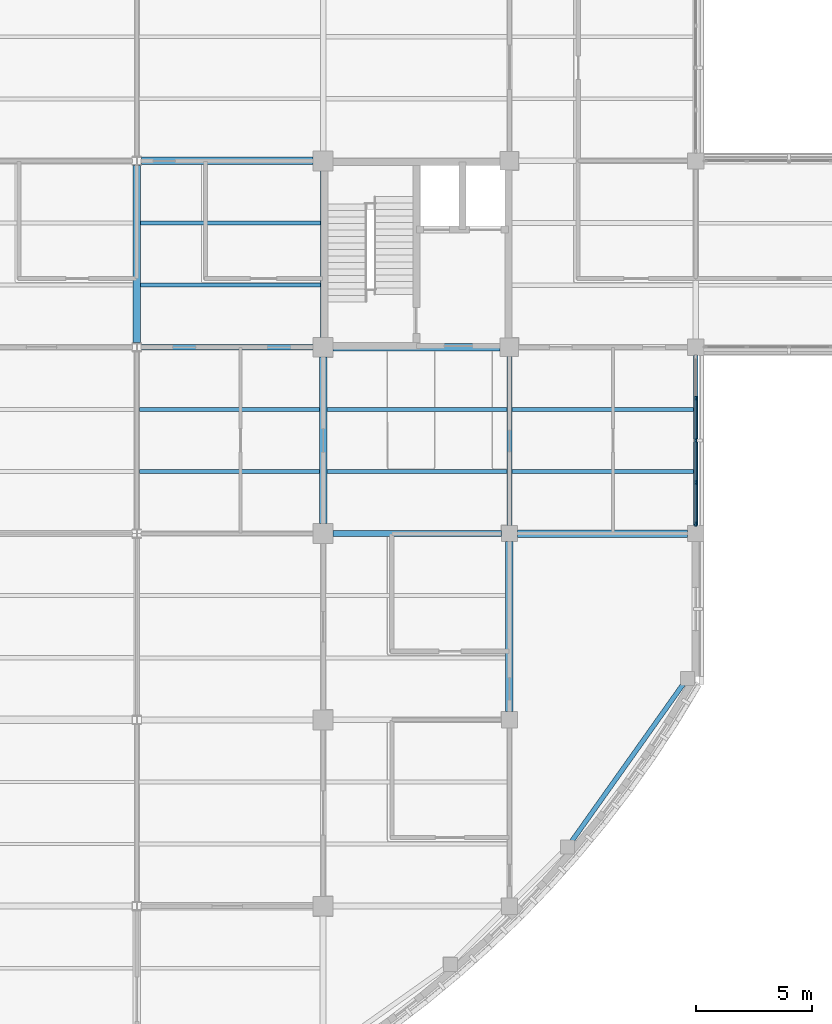
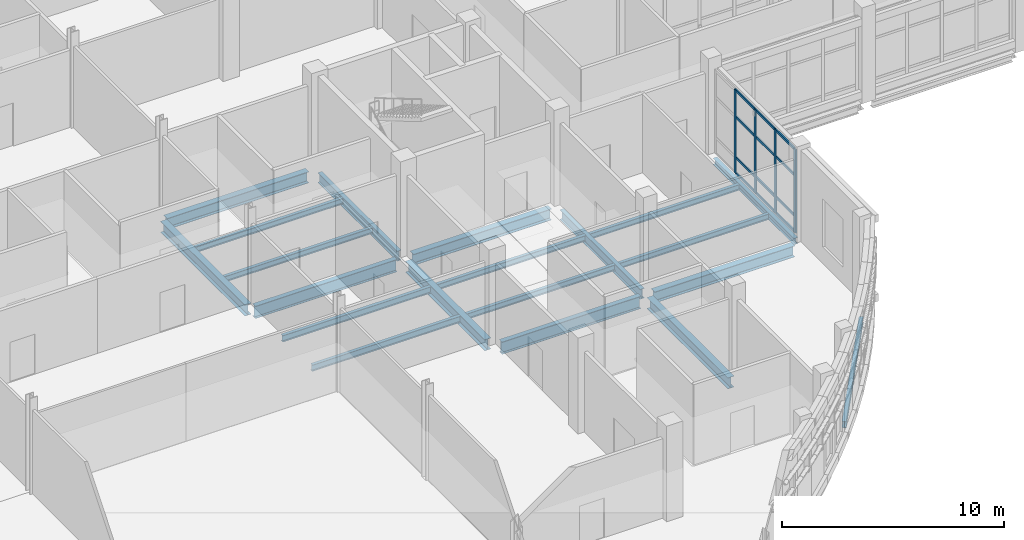
# One storey, part 21 of 105: 20 beams, 16 members, 1 element without a shape of its own.
"""IFC4 building model written with IfcOpenShell, lengths in metres."""

from ifc_helpers import new_model, si_unit, derived_unit, direction, frame, origin, origin_2d, place, context, subcontext, project, spatial, rectangle, i_section, extrude, material, layer, layer_set, material_profile, profile_set, type_object, element, aggregate, save


model = new_model("IFC4")

# Units and contexts
model_context = context("Model", 3, precision=1e-05, world=origin(), true_north=direction((0.0, 1.0)))
body_context = subcontext(model_context, "Body", "Model", "MODEL_VIEW")
ifc_project = project(units=[si_unit("LENGTHUNIT", "METRE"), si_unit("AREAUNIT", "SQUARE_METRE"), si_unit("VOLUMEUNIT", "CUBIC_METRE"), si_unit("PLANEANGLEUNIT", "RADIAN"), si_unit("MASSUNIT", "GRAM", prefix="KILO"), derived_unit("THERMALTRANSMITTANCEUNIT", [(si_unit("MASSUNIT", "GRAM", prefix="KILO"), 1), (si_unit("TIMEUNIT", "SECOND"), -3), (si_unit("THERMODYNAMICTEMPERATUREUNIT", "KELVIN"), -1)])], contexts=[model_context])

# Site, building, storey
site_placement = place(None, origin())
site = spatial("IfcSite", under=ifc_project, at=site_placement, CompositionType="ELEMENT")
building_placement = place(site_placement, origin())
building = spatial("IfcBuilding", under=site, at=building_placement, Name="Veyamyaing Civic Hall", CompositionType="ELEMENT")
storey_placement = place(building_placement, origin())
storey = spatial("IfcBuildingStorey", under=building, at=storey_placement, Name="L00", CompositionType="ELEMENT", Elevation=0.0)

# Beams
ifc_material_1 = material(Name="Steel ASTM A992", Category="steel")
ifc_material_profile_1 = material_profile(ifc_material_1, i_section(OverallWidth=0.2041015625, OverallDepth=0.35009765625, WebThickness=0.0078125, FlangeThickness=0.01513671875, FilletRadius=0.010009765625, at=origin_2d()), Name="W360X72")
ifc_profile_set_1 = profile_set([ifc_material_profile_1], Name="Steel ASTM A992")
beam_type_1 = type_object("IfcBeamType", Name="B-11", PredefinedType="SPANDREL", material=ifc_profile_set_1)
beam_1_placement = place(storey_placement, frame((120.0, 40.35009765625, -0.43994140625), z_axis=(0.0, 1.0, 0.0), x_axis=(-1.0, 0.0, 0.0)))
element("IfcBeam", 1, at=beam_1_placement, inside=storey, type_object=beam_type_1, Name="Girder B-11 L00 Grid 16 F-G", PredefinedType="SPANDREL", context=body_context, shape_type="SweptSolid", body=[
    extrude(i_section(OverallWidth=0.2041015625, OverallDepth=0.35009765625, WebThickness=0.0078125, FlangeThickness=0.01513671875, FilletRadius=0.010009765625, at=origin_2d()), origin(), (0.0, 0.0, 1.0), 7.2998046875),
])
beam_2_placement = place(storey_placement, frame((114.668701171875, 26.778076171875, -0.449951171875), z_axis=(0.578662285773, 0.815567262109, 0.0), x_axis=(-0.815567262109, 0.578662285773, 0.0)))
element("IfcBeam", 2, at=beam_2_placement, inside=storey, type_object=beam_type_1, Name="Curved corner spandrel B-11 L00 SE.3", PredefinedType="SPANDREL", context=body_context, shape_type="SweptSolid", body=[
    extrude(i_section(OverallWidth=0.2041015625, OverallDepth=0.35009765625, WebThickness=0.0078125, FlangeThickness=0.01513671875, FilletRadius=0.010009765625, at=origin_2d()), origin(), (0.0, 0.0, 1.0), 8.284423828125),
])
ifc_material_profile_2 = material_profile(ifc_material_1, i_section(OverallWidth=0.25390625, OverallDepth=0.68408203125, WebThickness=0.012451171875, FlangeThickness=0.01904296875, FilletRadius=0.013916015625, at=origin_2d()), Name="W690X140")
ifc_profile_set_2 = profile_set([ifc_material_profile_2], Name="Steel ASTM A992")
beam_type_2 = type_object("IfcBeamType", Name="B-14", PredefinedType="BEAM", material=ifc_profile_set_2)
beam_3_placement = place(storey_placement, frame((104.425048828125, 40.0, -0.60693359375), z_axis=(1.0, 0.0, 0.0), x_axis=(0.0, 1.0, 0.0)))
element("IfcBeam", 3, at=beam_3_placement, inside=storey, type_object=beam_type_2, Name="Girder B-14 L00 Grid F 14-15", PredefinedType="BEAM", context=body_context, shape_type="SweptSolid", body=[
    extrude(i_section(OverallWidth=0.25390625, OverallDepth=0.68408203125, WebThickness=0.012451171875, FlangeThickness=0.01904296875, FilletRadius=0.013916015625, at=origin_2d()), origin(), (0.0, 0.0, 1.0), 7.224853515625),
])
beam_4_placement = place(storey_placement, frame((96.198974609375, 48.0, -0.60693359375), z_axis=(1.0, 0.0, 0.0), x_axis=(0.0, 1.0, 0.0)))
element("IfcBeam", 4, at=beam_4_placement, inside=storey, type_object=beam_type_2, Name="Girder B-14 L00 Grid G 13-14", PredefinedType="BEAM", context=body_context, shape_type="SweptSolid", body=[
    extrude(i_section(OverallWidth=0.25390625, OverallDepth=0.68408203125, WebThickness=0.012451171875, FlangeThickness=0.01904296875, FilletRadius=0.013916015625, at=origin_2d()), origin(), (0.0, 0.0, 1.0), 7.3759765625),
])
ifc_material_profile_3 = material_profile(ifc_material_1, i_section(OverallWidth=0.324951171875, OverallDepth=0.615966796875, WebThickness=0.013916015625, FlangeThickness=0.021484375, FilletRadius=0.013916015625, at=origin_2d()), Name="W610X174")
ifc_profile_set_3 = profile_set([ifc_material_profile_3], Name="Steel ASTM A992")
beam_type_3 = type_object("IfcBeamType", Name="B-15", PredefinedType="BEAM", material=ifc_profile_set_3)
beam_5_placement = place(storey_placement, frame((112.35009765625, 40.0, -0.572998046875), z_axis=(1.0, 0.0, 0.0), x_axis=(0.0, 1.0, 0.0)))
element("IfcBeam", 5, at=beam_5_placement, inside=storey, type_object=beam_type_3, Name="Girder B-15 L00 Grid F 15-16", PredefinedType="BEAM", context=body_context, shape_type="SweptSolid", body=[
    extrude(i_section(OverallWidth=0.324951171875, OverallDepth=0.615966796875, WebThickness=0.013916015625, FlangeThickness=0.021484375, FilletRadius=0.013916015625, at=origin_2d()), origin(), (0.0, 0.0, 1.0), 7.2998046875),
])
beam_6_placement = place(storey_placement, frame((104.425048828125, 48.0, -0.572998046875), z_axis=(1.0, 0.0, 0.0), x_axis=(0.0, 1.0, 0.0)))
element("IfcBeam", 6, at=beam_6_placement, inside=storey, type_object=beam_type_3, Name="Girder B-15 L00 Grid G 14-15", PredefinedType="BEAM", context=body_context, shape_type="SweptSolid", body=[
    extrude(i_section(OverallWidth=0.324951171875, OverallDepth=0.615966796875, WebThickness=0.013916015625, FlangeThickness=0.021484375, FilletRadius=0.013916015625, at=origin_2d()), origin(), (0.0, 0.0, 1.0), 7.175048828125),
])
beam_7_placement = place(storey_placement, frame((96.198974609375, 56.0, -0.572998046875), z_axis=(1.0, 0.0, 0.0), x_axis=(0.0, 1.0, 0.0)))
element("IfcBeam", 7, at=beam_7_placement, inside=storey, type_object=beam_type_3, Name="Girder B-15 L00 Grid H 13-14", PredefinedType="BEAM", context=body_context, shape_type="SweptSolid", body=[
    extrude(i_section(OverallWidth=0.324951171875, OverallDepth=0.615966796875, WebThickness=0.013916015625, FlangeThickness=0.021484375, FilletRadius=0.013916015625, at=origin_2d()), origin(), (0.0, 0.0, 1.0), 7.3759765625),
])
beam_8_placement = place(storey_placement, frame((96.0, 48.193603515625, -0.572998046875), z_axis=(0.0, 1.0, 0.0), x_axis=(-1.0, 0.0, 0.0)))
element("IfcBeam", 8, at=beam_8_placement, inside=storey, type_object=beam_type_3, Name="Girder B-15 L00 Grid 13 G-H", PredefinedType="BEAM", context=body_context, shape_type="SweptSolid", body=[
    extrude(i_section(OverallWidth=0.324951171875, OverallDepth=0.615966796875, WebThickness=0.013916015625, FlangeThickness=0.021484375, FilletRadius=0.013916015625, at=origin_2d()), origin(), (0.0, 0.0, 1.0), 7.61279296875),
])
beam_9_placement = place(storey_placement, frame((104.0, 40.425048828125, -0.572998046875), z_axis=(0.0, 1.0, 0.0), x_axis=(-1.0, 0.0, 0.0)))
element("IfcBeam", 9, at=beam_9_placement, inside=storey, type_object=beam_type_3, Name="Girder B-15 L00 Grid 14 F-G", PredefinedType="BEAM", context=body_context, shape_type="SweptSolid", body=[
    extrude(i_section(OverallWidth=0.324951171875, OverallDepth=0.615966796875, WebThickness=0.013916015625, FlangeThickness=0.021484375, FilletRadius=0.013916015625, at=origin_2d()), origin(), (0.0, 0.0, 1.0), 7.14990234375),
])
beam_10_placement = place(storey_placement, frame((112.0, 32.35009765625, -0.572998046875), z_axis=(0.0, 1.0, 0.0), x_axis=(-1.0, 0.0, 0.0)))
element("IfcBeam", 10, at=beam_10_placement, inside=storey, type_object=beam_type_3, Name="Girder B-15 L00 Grid 15 E-F", PredefinedType="BEAM", context=body_context, shape_type="SweptSolid", body=[
    extrude(i_section(OverallWidth=0.324951171875, OverallDepth=0.615966796875, WebThickness=0.013916015625, FlangeThickness=0.021484375, FilletRadius=0.013916015625, at=origin_2d()), origin(), (0.0, 0.0, 1.0), 7.2998046875),
])
ifc_material_profile_4 = material_profile(ifc_material_1, i_section(OverallWidth=0.214111328125, OverallDepth=0.549072265625, WebThickness=0.0146484375, FlangeThickness=0.023681640625, FilletRadius=0.011962890625, at=origin_2d()), Name="W530X138")
ifc_profile_set_4 = profile_set([ifc_material_profile_4], Name="Steel ASTM A992")
beam_type_4 = type_object("IfcBeamType", Name="B-16", PredefinedType="BEAM", material=ifc_profile_set_4)
beam_11_placement = place(storey_placement, frame((104.0, 48.425048828125, -0.53955078125), z_axis=(0.0, 1.0, 0.0), x_axis=(-1.0, 0.0, 0.0)))
element("IfcBeam", 11, at=beam_11_placement, inside=storey, type_object=beam_type_4, Name="Girder B-16 L00 Grid 14 G-H", PredefinedType="BEAM", context=body_context, shape_type="SweptSolid", body=[
    extrude(i_section(OverallWidth=0.214111328125, OverallDepth=0.549072265625, WebThickness=0.0146484375, FlangeThickness=0.023681640625, FilletRadius=0.011962890625, at=origin_2d()), origin(), (0.0, 0.0, 1.0), 7.14990234375),
])
beam_12_placement = place(storey_placement, frame((112.0, 40.35009765625, -0.53955078125), z_axis=(0.0, 1.0, 0.0), x_axis=(-1.0, 0.0, 0.0)))
element("IfcBeam", 12, at=beam_12_placement, inside=storey, type_object=beam_type_4, Name="Girder B-16 L00 Grid 15 F-G", PredefinedType="BEAM", context=body_context, shape_type="SweptSolid", body=[
    extrude(i_section(OverallWidth=0.214111328125, OverallDepth=0.549072265625, WebThickness=0.0146484375, FlangeThickness=0.023681640625, FilletRadius=0.011962890625, at=origin_2d()), origin(), (0.0, 0.0, 1.0), 7.25),
])

# Curtain wall, members
ifc_material_2 = material(Name="Anodised aluminium 6063-T6", Category="aluminium")
ifc_layer = layer(ifc_material_2, 0.179931640625, Name="Anodised aluminium 6063-T6")
ifc_layer_set = layer_set([ifc_layer], Name="Anodised aluminium 6063-T6")
curtain_wall_type = type_object("IfcCurtainWallType", Name="CW-06", PredefinedType="NOTDEFINED", material=ifc_layer_set)
curtain_wall_placement = place(storey_placement, origin())
curtain_wall = element("IfcCurtainWall", 13, at=curtain_wall_placement, inside=storey, type_object=curtain_wall_type, Name="Unitized curtain wall CW-06 L00 E 15.6", PredefinedType="NOTDEFINED")
ifc_material_profile_5 = material_profile(ifc_material_2, rectangle(XDim=0.06494140625, YDim=0.179931640625, at=origin_2d()), Name="ALU-MUL-65X180")
ifc_profile_set_5 = profile_set([ifc_material_profile_5], Name="Anodised aluminium 6063-T6")
member_type_1 = type_object("IfcMemberType", Name="CWM-02", PredefinedType="MULLION", material=ifc_profile_set_5)
member_1_placement = place(storey_placement, frame((120.0, 40.41259765625, 0.0), z_axis=(0.0, 0.0, 1.0), x_axis=(-1.0, 0.0, 0.0)))
member_1 = element("IfcMember", 14, at=member_1_placement, type_object=member_type_1, Name="CW-06 mullion 1", PredefinedType="MULLION", context=body_context, shape_type="SweptSolid", body=[
    extrude(rectangle(XDim=0.06494140625, YDim=0.179931640625, at=origin_2d()), origin(), (0.0, 0.0, 1.0), 4.610107421875),
])
member_2_placement = place(storey_placement, frame((120.0, 42.18994140625, 0.0), z_axis=(0.0, 0.0, 1.0), x_axis=(-1.0, 0.0, 0.0)))
member_2 = element("IfcMember", 15, at=member_2_placement, type_object=member_type_1, Name="CW-06 mullion 2", PredefinedType="MULLION", context=body_context, shape_type="SweptSolid", body=[
    extrude(rectangle(XDim=0.06494140625, YDim=0.179931640625, at=origin_2d()), origin(), (0.0, 0.0, 1.0), 4.610107421875),
])
member_3_placement = place(storey_placement, frame((120.0, 44.0, 0.0), z_axis=(0.0, 0.0, 1.0), x_axis=(-1.0, 0.0, 0.0)))
member_3 = element("IfcMember", 16, at=member_3_placement, type_object=member_type_1, Name="CW-06 mullion 3", PredefinedType="MULLION", context=body_context, shape_type="SweptSolid", body=[
    extrude(rectangle(XDim=0.06494140625, YDim=0.179931640625, at=origin_2d()), origin(), (0.0, 0.0, 1.0), 4.610107421875),
])
member_4_placement = place(storey_placement, frame((120.0, 45.81005859375, 0.0), z_axis=(0.0, 0.0, 1.0), x_axis=(-1.0, 0.0, 0.0)))
member_4 = element("IfcMember", 17, at=member_4_placement, type_object=member_type_1, Name="CW-06 mullion 4", PredefinedType="MULLION", context=body_context, shape_type="SweptSolid", body=[
    extrude(rectangle(XDim=0.06494140625, YDim=0.179931640625, at=origin_2d()), origin(), (0.0, 0.0, 1.0), 4.610107421875),
])
ifc_material_profile_6 = material_profile(ifc_material_2, rectangle(XDim=0.06494140625, YDim=0.139892578125, at=origin_2d()), Name="ALU-TRN-65X140")
ifc_profile_set_6 = profile_set([ifc_material_profile_6], Name="Anodised aluminium 6063-T6")
member_type_2 = type_object("IfcMemberType", Name="CWT-02", PredefinedType="USERDEFINED", material=ifc_profile_set_6)
member_5_placement = place(storey_placement, frame((120.0, 40.445068359375, 0.032470703125), z_axis=(0.0, 1.0, 0.0), x_axis=(-1.0, 0.0, 0.0)))
member_5 = element("IfcMember", 18, at=member_5_placement, type_object=member_type_2, Name="CW-06 transom 1.1", ObjectType="TRANSOM", PredefinedType="USERDEFINED", context=body_context, shape_type="SweptSolid", body=[
    extrude(rectangle(XDim=0.06494140625, YDim=0.139892578125, at=origin_2d()), origin(), (0.0, 0.0, 1.0), 1.71240234375),
])
member_6_placement = place(storey_placement, frame((120.0, 40.445068359375, 0.89990234375), z_axis=(0.0, 1.0, 0.0), x_axis=(-1.0, 0.0, 0.0)))
member_6 = element("IfcMember", 19, at=member_6_placement, type_object=member_type_2, Name="CW-06 transom 1.2", ObjectType="TRANSOM", PredefinedType="USERDEFINED", context=body_context, shape_type="SweptSolid", body=[
    extrude(rectangle(XDim=0.06494140625, YDim=0.139892578125, at=origin_2d()), origin(), (0.0, 0.0, 1.0), 1.71240234375),
])
member_7_placement = place(storey_placement, frame((120.0, 40.445068359375, 3.134765625), z_axis=(0.0, 1.0, 0.0), x_axis=(-1.0, 0.0, 0.0)))
member_7 = element("IfcMember", 20, at=member_7_placement, type_object=member_type_2, Name="CW-06 transom 1.3", ObjectType="TRANSOM", PredefinedType="USERDEFINED", context=body_context, shape_type="SweptSolid", body=[
    extrude(rectangle(XDim=0.06494140625, YDim=0.139892578125, at=origin_2d()), origin(), (0.0, 0.0, 1.0), 1.71240234375),
])
member_8_placement = place(storey_placement, frame((120.0, 40.445068359375, 4.577392578125), z_axis=(0.0, 1.0, 0.0), x_axis=(-1.0, 0.0, 0.0)))
member_8 = element("IfcMember", 21, at=member_8_placement, type_object=member_type_2, Name="CW-06 transom 1.4", ObjectType="TRANSOM", PredefinedType="USERDEFINED", context=body_context, shape_type="SweptSolid", body=[
    extrude(rectangle(XDim=0.06494140625, YDim=0.139892578125, at=origin_2d()), origin(), (0.0, 0.0, 1.0), 1.71240234375),
])
member_9_placement = place(storey_placement, frame((120.0, 42.222412109375, 0.032470703125), z_axis=(0.0, 1.0, 0.0), x_axis=(-1.0, 0.0, 0.0)))
member_9 = element("IfcMember", 22, at=member_9_placement, type_object=member_type_2, Name="CW-06 transom 2.1", ObjectType="TRANSOM", PredefinedType="USERDEFINED", context=body_context, shape_type="SweptSolid", body=[
    extrude(rectangle(XDim=0.06494140625, YDim=0.139892578125, at=origin_2d()), origin(), (0.0, 0.0, 1.0), 1.7451171875),
])
member_10_placement = place(storey_placement, frame((120.0, 42.222412109375, 0.89990234375), z_axis=(0.0, 1.0, 0.0), x_axis=(-1.0, 0.0, 0.0)))
member_10 = element("IfcMember", 23, at=member_10_placement, type_object=member_type_2, Name="CW-06 transom 2.2", ObjectType="TRANSOM", PredefinedType="USERDEFINED", context=body_context, shape_type="SweptSolid", body=[
    extrude(rectangle(XDim=0.06494140625, YDim=0.139892578125, at=origin_2d()), origin(), (0.0, 0.0, 1.0), 1.7451171875),
])
member_11_placement = place(storey_placement, frame((120.0, 42.222412109375, 3.134765625), z_axis=(0.0, 1.0, 0.0), x_axis=(-1.0, 0.0, 0.0)))
member_11 = element("IfcMember", 24, at=member_11_placement, type_object=member_type_2, Name="CW-06 transom 2.3", ObjectType="TRANSOM", PredefinedType="USERDEFINED", context=body_context, shape_type="SweptSolid", body=[
    extrude(rectangle(XDim=0.06494140625, YDim=0.139892578125, at=origin_2d()), origin(), (0.0, 0.0, 1.0), 1.7451171875),
])
member_12_placement = place(storey_placement, frame((120.0, 42.222412109375, 4.577392578125), z_axis=(0.0, 1.0, 0.0), x_axis=(-1.0, 0.0, 0.0)))
member_12 = element("IfcMember", 25, at=member_12_placement, type_object=member_type_2, Name="CW-06 transom 2.4", ObjectType="TRANSOM", PredefinedType="USERDEFINED", context=body_context, shape_type="SweptSolid", body=[
    extrude(rectangle(XDim=0.06494140625, YDim=0.139892578125, at=origin_2d()), origin(), (0.0, 0.0, 1.0), 1.7451171875),
])
member_13_placement = place(storey_placement, frame((120.0, 44.032470703125, 0.032470703125), z_axis=(0.0, 1.0, 0.0), x_axis=(-1.0, 0.0, 0.0)))
member_13 = element("IfcMember", 26, at=member_13_placement, type_object=member_type_2, Name="CW-06 transom 3.1", ObjectType="TRANSOM", PredefinedType="USERDEFINED", context=body_context, shape_type="SweptSolid", body=[
    extrude(rectangle(XDim=0.06494140625, YDim=0.139892578125, at=origin_2d()), origin(), (0.0, 0.0, 1.0), 1.7451171875),
])
member_14_placement = place(storey_placement, frame((120.0, 44.032470703125, 0.89990234375), z_axis=(0.0, 1.0, 0.0), x_axis=(-1.0, 0.0, 0.0)))
member_14 = element("IfcMember", 27, at=member_14_placement, type_object=member_type_2, Name="CW-06 transom 3.2", ObjectType="TRANSOM", PredefinedType="USERDEFINED", context=body_context, shape_type="SweptSolid", body=[
    extrude(rectangle(XDim=0.06494140625, YDim=0.139892578125, at=origin_2d()), origin(), (0.0, 0.0, 1.0), 1.7451171875),
])
member_15_placement = place(storey_placement, frame((120.0, 44.032470703125, 3.134765625), z_axis=(0.0, 1.0, 0.0), x_axis=(-1.0, 0.0, 0.0)))
member_15 = element("IfcMember", 28, at=member_15_placement, type_object=member_type_2, Name="CW-06 transom 3.3", ObjectType="TRANSOM", PredefinedType="USERDEFINED", context=body_context, shape_type="SweptSolid", body=[
    extrude(rectangle(XDim=0.06494140625, YDim=0.139892578125, at=origin_2d()), origin(), (0.0, 0.0, 1.0), 1.7451171875),
])
member_16_placement = place(storey_placement, frame((120.0, 44.032470703125, 4.577392578125), z_axis=(0.0, 1.0, 0.0), x_axis=(-1.0, 0.0, 0.0)))
member_16 = element("IfcMember", 29, at=member_16_placement, type_object=member_type_2, Name="CW-06 transom 3.4", ObjectType="TRANSOM", PredefinedType="USERDEFINED", context=body_context, shape_type="SweptSolid", body=[
    extrude(rectangle(XDim=0.06494140625, YDim=0.139892578125, at=origin_2d()), origin(), (0.0, 0.0, 1.0), 1.7451171875),
])
aggregate(curtain_wall, [member_1, member_2, member_3, member_4, member_5, member_6, member_7, member_8, member_9, member_10, member_11, member_12, member_13, member_14, member_15, member_16])

# Beams
ifc_material_profile_7 = material_profile(ifc_material_1, i_section(OverallWidth=0.1708984375, OverallDepth=0.35205078125, WebThickness=0.0068359375, FlangeThickness=0.009765625, FilletRadius=0.010009765625, at=origin_2d()), Name="W360X44")
ifc_profile_set_7 = profile_set([ifc_material_profile_7], Name="Steel ASTM A992")
beam_type_5 = type_object("IfcBeamType", Name="J-03", PredefinedType="JOIST", material=ifc_profile_set_7)
for number, where, z_axis, x_axis, name in (
    (30, (96.112060546875, 42.666748046875, -0.44091796875), (1.0, 0.0, 0.0), (0.0, 1.0, 0.0), "Composite floor joist J-03 L00 13.6.1"),
    (31, (96.112060546875, 45.333251953125, -0.44091796875), (1.0, 0.0, 0.0), (0.0, 1.0, 0.0), "Composite floor joist J-03 L00 13.6.2"),
):
    element("IfcBeam", number, at=place(storey_placement, frame(where, z_axis=z_axis, x_axis=x_axis)), inside=storey, type_object=beam_type_5, Name=name, PredefinedType="JOIST", context=body_context, shape_type="SweptSolid", body=[
        extrude(i_section(OverallWidth=0.1708984375, OverallDepth=0.35205078125, WebThickness=0.0068359375, FlangeThickness=0.009765625, FilletRadius=0.010009765625, at=origin_2d()), origin(), (0.0, 0.0, 1.0), 7.7275390625),
    ])
ifc_material_profile_8 = material_profile(ifc_material_1, i_section(OverallWidth=0.1669921875, OverallDepth=0.318115234375, WebThickness=0.007568359375, FlangeThickness=0.01318359375, FilletRadius=0.010009765625, at=origin_2d()), Name="W310X52")
ifc_profile_set_8 = profile_set([ifc_material_profile_8], Name="Steel ASTM A992")
beam_type_6 = type_object("IfcBeamType", Name="J-04", PredefinedType="JOIST", material=ifc_profile_set_8)
for number, where, z_axis, x_axis, name in (
    (32, (96.160400390625, 50.666748046875, -0.424072265625), (1.0, 0.0, 0.0), (0.0, 1.0, 0.0), "Composite floor joist J-04 L00 13.7.1"),
    (33, (96.160400390625, 53.333251953125, -0.424072265625), (1.0, 0.0, 0.0), (0.0, 1.0, 0.0), "Composite floor joist J-04 L00 13.7.2"),
    (34, (104.160400390625, 42.666748046875, -0.424072265625), (1.0, 0.0, 0.0), (0.0, 1.0, 0.0), "Composite floor joist J-04 L00 14.6.1"),
    (35, (104.160400390625, 45.333251953125, -0.424072265625), (1.0, 0.0, 0.0), (0.0, 1.0, 0.0), "Composite floor joist J-04 L00 14.6.2"),
):
    element("IfcBeam", number, at=place(storey_placement, frame(where, z_axis=z_axis, x_axis=x_axis)), inside=storey, type_object=beam_type_6, Name=name, PredefinedType="JOIST", context=body_context, shape_type="SweptSolid", body=[
        extrude(i_section(OverallWidth=0.1669921875, OverallDepth=0.318115234375, WebThickness=0.007568359375, FlangeThickness=0.01318359375, FilletRadius=0.010009765625, at=origin_2d()), origin(), (0.0, 0.0, 1.0), 7.734619140625),
    ])
ifc_material_profile_9 = material_profile(ifc_material_1, i_section(OverallWidth=0.1650390625, OverallDepth=0.31005859375, WebThickness=0.005859375, FlangeThickness=0.009765625, FilletRadius=0.010009765625, at=origin_2d()), Name="W310X39")
ifc_profile_set_9 = profile_set([ifc_material_profile_9], Name="Steel ASTM A992")
beam_type_7 = type_object("IfcBeamType", Name="J-05", PredefinedType="JOIST", material=ifc_profile_set_9)
for number, where, z_axis, x_axis, name in (
    (36, (112.10498046875, 42.666748046875, -0.419921875), (1.0, 0.0, 0.0), (0.0, 1.0, 0.0), "Composite floor joist J-05 L00 15.6.1"),
    (37, (112.10498046875, 45.333251953125, -0.419921875), (1.0, 0.0, 0.0), (0.0, 1.0, 0.0), "Composite floor joist J-05 L00 15.6.2"),
):
    element("IfcBeam", number, at=place(storey_placement, frame(where, z_axis=z_axis, x_axis=x_axis)), inside=storey, type_object=beam_type_7, Name=name, PredefinedType="JOIST", context=body_context, shape_type="SweptSolid", body=[
        extrude(i_section(OverallWidth=0.1650390625, OverallDepth=0.31005859375, WebThickness=0.005859375, FlangeThickness=0.009765625, FilletRadius=0.010009765625, at=origin_2d()), origin(), (0.0, 0.0, 1.0), 7.794921875),
    ])

save(model, "model.ifc")
